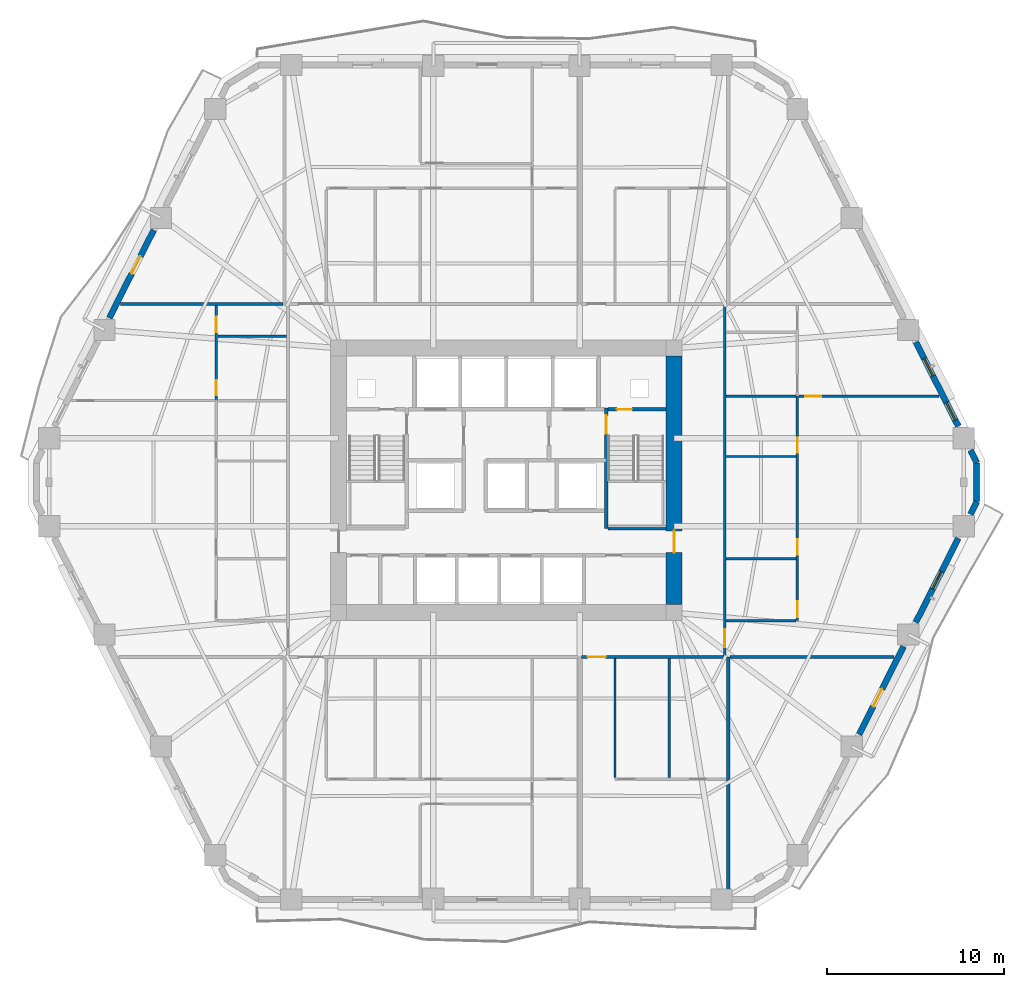
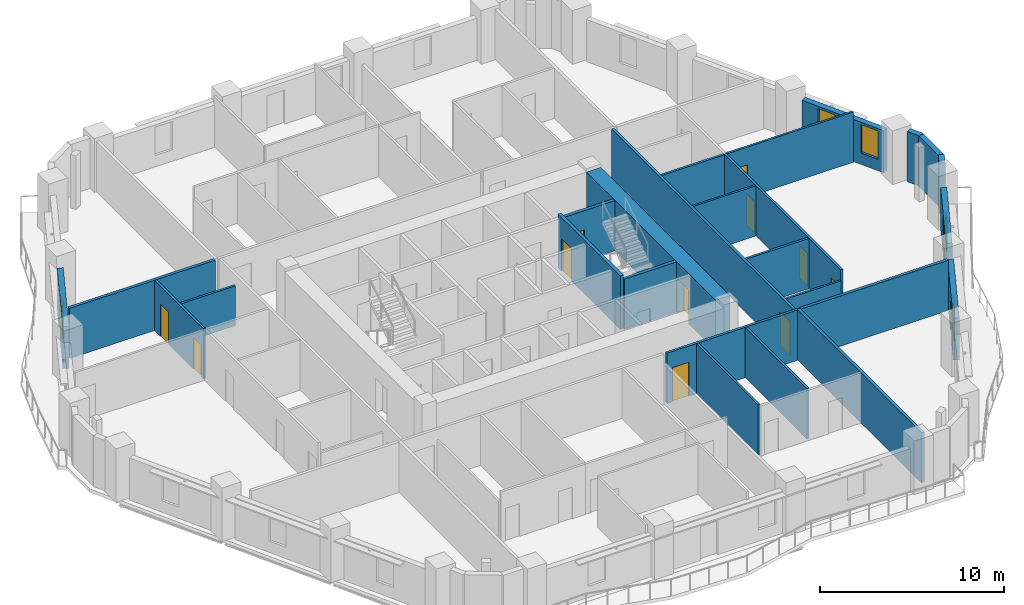
# One storey, part 6 of 14: 26 walls, 13 doors, 3 windows, 16 openings.
"""IFC4 building model written with IfcOpenShell, lengths in metres."""

from ifc_helpers import new_model, si_unit, direction, frame, frame_2d, origin, place, context, subcontext, project, spatial, rectangle, extrude, material, layer, layer_set, type_object, element, fill, save


model = new_model("IFC4")

# Units and contexts
model_context = context("Model", 3, precision=1e-05, world=origin(), true_north=direction((0.0, 1.0)))
body_context = subcontext(model_context, "Body", "Model", "MODEL_VIEW")
ifc_project = project(units=[si_unit("LENGTHUNIT", "METRE"), si_unit("AREAUNIT", "SQUARE_METRE"), si_unit("VOLUMEUNIT", "CUBIC_METRE"), si_unit("PLANEANGLEUNIT", "RADIAN"), si_unit("MASSUNIT", "GRAM", prefix="KILO")], contexts=[model_context])

# Site, building, storey
site_placement = place(None, origin())
site = spatial("IfcSite", under=ifc_project, at=site_placement, CompositionType="ELEMENT")
building_placement = place(site_placement, origin())
building = spatial("IfcBuilding", under=site, at=building_placement, Name="Cinnabar Lancet Tower", CompositionType="ELEMENT")
storey_placement = place(building_placement, frame((0.0, 0.0, 53.300048828125)))
storey = spatial("IfcBuildingStorey", under=building, at=storey_placement, Name="L13", CompositionType="ELEMENT", Elevation=53.300048828125)

# Wall, opening, door
ifc_material_1 = material(Name="Acoustic twin-stud gypsum partition", Category="gypsum")
ifc_layer_1 = layer(ifc_material_1, 0.159912109375)
ifc_layer_set_1 = layer_set([ifc_layer_1], Name="Acoustic twin-stud gypsum partition")
wall_type_1 = type_object("IfcWallType", Name="ARC-WL-CORR-160", PredefinedType="PARTITIONING", material=ifc_layer_set_1)
wall_1_placement = place(storey_placement, frame((36.616943359375, 15.949951171875, 0.0), z_axis=(0.0, 0.0, 1.0), x_axis=(1.0, 0.0, 0.0)))
wall_1 = element("IfcWall", 1, at=wall_1_placement, inside=storey, type_object=wall_type_1, Name="L13 Unit S02 Corridor Wall", PredefinedType="PARTITIONING", context=body_context, shape_type="SweptSolid", body=[
    extrude(rectangle(XDim=8.18798828125, YDim=0.159912109375, at=frame_2d((4.093994140625, 0.0))), origin(), (0.0, 0.0, 1.0), 3.329833984375),
])
opening_1_placement = place(wall_1_placement, frame((0.35498046875, 0.0, 0.0)))
opening_1 = element("IfcOpeningElement", 2, at=opening_1_placement, cuts=wall_1, Name="Opening UD-01", PredefinedType="OPENING", context=body_context, shape_type="SweptSolid", body=[
    extrude(rectangle(XDim=1.02001953125, YDim=2.25, at=frame_2d((0.510009765625, 1.125))), frame((0.0, 0.08984375, 0.0), z_axis=(0.0, -1.0, 0.0), x_axis=(1.0, 0.0, 0.0)), (0.0, 0.0, 1.0), 0.179931640625),
])
ifc_material_2 = material(Name="Solid timber fire-rated apartment entrance door", Category="wood")
door_type_1 = type_object("IfcDoorType", Name="ARC-DR-UNIT", OperationType="NOTDEFINED", PredefinedType="DOOR", material=ifc_material_2)
door_1_placement = place(opening_1_placement, origin())
door_1 = element("IfcDoor", 3, at=door_1_placement, inside=storey, type_object=door_type_1, Name="DR-L13-S02-ENT", OperationType="SINGLE_SWING_RIGHT", OverallHeight=2.25, OverallWidth=1.02001953125, PredefinedType="DOOR", context=body_context, shape_type="SweptSolid", body=[
    extrude(rectangle(XDim=1.02001953125, YDim=2.25, at=frame_2d((0.510009765625, 1.125))), frame((0.0, 0.02490234375, 0.0), z_axis=(0.0, -1.0, 0.0), x_axis=(1.0, 0.0, 0.0)), (0.0, 0.0, 1.0), 0.050048828125),
])
fill(opening_1, door_1)

wall_2_placement = place(storey_placement, frame((44.699951171875, 16.044921875, 0.0), z_axis=(0.0, 0.0, 1.0), x_axis=(0.0, 1.0, 0.0)))
wall_2 = element("IfcWall", 4, at=wall_2_placement, inside=storey, type_object=wall_type_1, Name="UW-L13-E01-COR", PredefinedType="PARTITIONING", context=body_context, shape_type="SweptSolid", body=[
    extrude(rectangle(XDim=19.7099609375, YDim=0.159912109375, at=frame_2d((9.85498046875, 0.0))), origin(), (0.0, 0.0, 1.0), 3.329833984375),
])
opening_2_placement = place(wall_2_placement, frame((0.449951171875, 0.0, 0.0)))
opening_2 = element("IfcOpeningElement", 5, at=opening_2_placement, cuts=wall_2, Name="Opening UD-01", PredefinedType="OPENING", context=body_context, shape_type="SweptSolid", body=[
    extrude(rectangle(XDim=1.02001953125, YDim=2.25, at=frame_2d((0.510009765625, 1.125))), frame((0.0, 0.08984375, 0.0), z_axis=(0.0, -1.0, 0.0), x_axis=(1.0, 0.0, 0.0)), (0.0, 0.0, 1.0), 0.179931640625),
])
door_2_placement = place(opening_2_placement, origin())
door_2 = element("IfcDoor", 6, at=door_2_placement, inside=storey, type_object=door_type_1, Name="DR-L13-E01-ENT", OperationType="SINGLE_SWING_RIGHT", OverallHeight=2.25, OverallWidth=1.02001953125, PredefinedType="DOOR", context=body_context, shape_type="SweptSolid", body=[
    extrude(rectangle(XDim=1.02001953125, YDim=2.25, at=frame_2d((0.510009765625, 1.125))), frame((0.0, 0.02490234375, 0.0), z_axis=(0.0, -1.0, 0.0), x_axis=(1.0, 0.0, 0.0)), (0.0, 0.0, 1.0), 0.050048828125),
])
fill(opening_2, door_2)

# Walls
ifc_material_3 = material(Name="Fire-rated twin-frame acoustic drywall", Category="gypsum")
ifc_layer_2 = layer(ifc_material_3, 0.179931640625)
ifc_layer_set_2 = layer_set([ifc_layer_2], Name="Fire-rated twin-frame acoustic drywall")
wall_type_2 = type_object("IfcWallType", Name="ARC-WL-PARTY-180", PredefinedType="PARTITIONING", material=ifc_layer_set_2)
wall_3_placement = place(storey_placement, frame((44.89990234375, 2.455078125, 0.0), z_axis=(0.0, 0.0, 1.0), x_axis=(0.0, 1.0, 0.0)))
element("IfcWall", 7, at=wall_3_placement, inside=storey, type_object=wall_type_2, Name="PW-L13-SPTY-449", PredefinedType="PARTITIONING", context=body_context, shape_type="SweptSolid", body=[
    extrude(rectangle(XDim=13.494873046875, YDim=0.179931640625, at=frame_2d((6.74755859375, 0.0))), origin(), (0.0, 0.0, 1.0), 3.329833984375),
])
wall_4_placement = place(storey_placement, frame((44.9951171875, 15.949951171875, 0.0), z_axis=(0.0, 0.0, 1.0), x_axis=(1.0, 0.0, 0.0)))
element("IfcWall", 8, at=wall_4_placement, inside=storey, type_object=wall_type_2, Name="PW-L13-ESB", PredefinedType="PARTITIONING", context=body_context, shape_type="SweptSolid", body=[
    extrude(rectangle(XDim=9.240966796875, YDim=0.179931640625, at=frame_2d((4.62060546875, 0.0))), origin(), (0.0, 0.0, 1.0), 3.329833984375),
])
wall_5_placement = place(storey_placement, frame((10.6650390625, 35.85009765625, 0.0), z_axis=(0.0, 0.0, 1.0), x_axis=(1.0, 0.0, 0.0)))
element("IfcWall", 9, at=wall_5_placement, inside=storey, type_object=wall_type_2, Name="PW-L13-WNB", PredefinedType="PARTITIONING", context=body_context, shape_type="SweptSolid", body=[
    extrude(rectangle(XDim=9.139892578125, YDim=0.179931640625, at=frame_2d((4.56982421875, 0.0))), origin(), (0.0, 0.0, 1.0), 3.329833984375),
])
ifc_material_4 = material(Name="Autoclaved aerated concrete blockwork", Category="masonry")
ifc_layer_3 = layer(ifc_material_4, 0.199951171875)
ifc_layer_set_3 = layer_set([ifc_layer_3], Name="Autoclaved aerated concrete blockwork")
wall_type_3 = type_object("IfcWallType", Name="ARC-WL-SHAFT-200", PredefinedType="PLUMBINGWALL", material=ifc_layer_set_3)
wall_6_placement = place(storey_placement, frame((38.125, 23.199951171875, 0.0), z_axis=(0.0, 0.0, 1.0), x_axis=(1.0, 0.0, 0.0)))
element("IfcWall", 10, at=wall_6_placement, inside=storey, type_object=wall_type_3, Name="CW-ST2S-L13", PredefinedType="PLUMBINGWALL", context=body_context, shape_type="SweptSolid", body=[
    extrude(rectangle(XDim=3.27001953125, YDim=0.199951171875, at=frame_2d((1.635009765625, 0.0))), origin(), (0.0, 0.0, 1.0), 3.329833984375),
])

# Wall, opening, door
wall_7_placement = place(storey_placement, frame((38.125, 29.89990234375, 0.0), z_axis=(0.0, 0.0, 1.0), x_axis=(1.0, 0.0, 0.0)))
wall_7 = element("IfcWall", 11, at=wall_7_placement, inside=storey, type_object=wall_type_3, Name="CW-NSH-E-L13", PredefinedType="PLUMBINGWALL", context=body_context, shape_type="SweptSolid", body=[
    extrude(rectangle(XDim=3.27001953125, YDim=0.199951171875, at=frame_2d((1.635009765625, 0.0))), origin(), (0.0, 0.0, 1.0), 3.329833984375),
])
opening_3_placement = place(wall_7_placement, frame((0.5, 0.0, 0.0)))
opening_3 = element("IfcOpeningElement", 12, at=opening_3_placement, cuts=wall_7, Name="Opening PD-02", PredefinedType="OPENING", context=body_context, shape_type="SweptSolid", body=[
    extrude(rectangle(XDim=0.85009765625, YDim=2.050048828125, at=frame_2d((0.425048828125, 1.02490234375))), frame((0.0, 0.10986328125, 0.0), z_axis=(0.0, -1.0, 0.0), x_axis=(1.0, 0.0, 0.0)), (0.0, 0.0, 1.0), 0.219970703125),
])
ifc_material_5 = material(Name="Fire-rated steel riser access door", Category="steel")
door_type_2 = type_object("IfcDoorType", Name="ARC-DR-RISER", OperationType="NOTDEFINED", PredefinedType="DOOR", material=ifc_material_5)
door_3_placement = place(opening_3_placement, origin())
door_3 = element("IfcDoor", 13, at=door_3_placement, inside=storey, type_object=door_type_2, Name="L13 East Riser Access Door", OperationType="SINGLE_SWING_RIGHT", OverallHeight=2.050048828125, OverallWidth=0.85009765625, PredefinedType="DOOR", context=body_context, shape_type="SweptSolid", body=[
    extrude(rectangle(XDim=0.85009765625, YDim=2.050048828125, at=frame_2d((0.425048828125, 1.02490234375))), frame((0.0, 0.02490234375, 0.0), z_axis=(0.0, -1.0, 0.0), x_axis=(1.0, 0.0, 0.0)), (0.0, 0.0, 1.0), 0.050048828125),
])
fill(opening_3, door_3)

# Walls
ifc_material_6 = material(Name="Gypsum plasterboard stud partition", Category="gypsum")
ifc_layer_4 = layer(ifc_material_6, 0.125)
ifc_layer_set_4 = layer_set([ifc_layer_4], Name="Gypsum plasterboard stud partition")
wall_type_4 = type_object("IfcWallType", Name="ARC-WL-UNIT-125", PredefinedType="PARTITIONING", material=ifc_layer_set_4)
wall_8_placement = place(storey_placement, frame((38.52197265625, 9.173095703125, 0.0), z_axis=(0.0, 0.0, 1.0), x_axis=(0.0, 1.0, 0.0)))
element("IfcWall", 14, at=wall_8_placement, inside=storey, type_object=wall_type_4, Name="UW-L13-S02-FOYE", PredefinedType="PARTITIONING", context=body_context, shape_type="SweptSolid", body=[
    extrude(rectangle(XDim=6.69189453125, YDim=0.125, at=frame_2d((3.345947265625, 0.0))), origin(), (0.0, 0.0, 1.0), 3.329833984375),
])
wall_9_placement = place(storey_placement, frame((44.784912109375, 18.0, 0.0), z_axis=(0.0, 0.0, 1.0), x_axis=(1.0, 0.0, 0.0)))
element("IfcWall", 15, at=wall_9_placement, inside=storey, type_object=wall_type_4, Name="UW-L13-E01-FOYN", PredefinedType="PARTITIONING", context=body_context, shape_type="SweptSolid", body=[
    extrude(rectangle(XDim=3.93017578125, YDim=0.125, at=frame_2d((1.965087890625, 0.0))), origin(), (0.0, 0.0, 1.0), 2.636962890625),
])

# Wall, opening, door
wall_10_placement = place(storey_placement, frame((48.875, 30.64892578125, 0.0), z_axis=(0.0, 0.0, 1.0), x_axis=(1.0, 0.0, 0.0)))
wall_10 = element("IfcWall", 16, at=wall_10_placement, inside=storey, type_object=wall_type_4, Name="UW-L13-E01-MBN", PredefinedType="PARTITIONING", context=body_context, shape_type="SweptSolid", body=[
    extrude(rectangle(XDim=7.906982421875, YDim=0.125, at=frame_2d((3.95361328125, 0.0))), origin(), (0.0, 0.0, 1.0), 3.329833984375),
])
opening_4_placement = place(wall_10_placement, frame((0.35009765625, 0.0, 0.0)))
opening_4 = element("IfcOpeningElement", 17, at=opening_4_placement, cuts=wall_10, Name="Opening RD-01", PredefinedType="OPENING", context=body_context, shape_type="SweptSolid", body=[
    extrude(rectangle(XDim=0.919921875, YDim=2.14990234375, at=frame_2d((0.4599609375, 1.074951171875))), frame((0.0, 0.072509765625, 0.0), z_axis=(0.0, -1.0, 0.0), x_axis=(1.0, 0.0, 0.0)), (0.0, 0.0, 1.0), 0.14501953125),
])
ifc_material_7 = material(Name="Engineered timber bedroom door", Category="wood")
door_type_3 = type_object("IfcDoorType", Name="ARC-DR-ROOM", OperationType="NOTDEFINED", PredefinedType="DOOR", material=ifc_material_7)
door_4_placement = place(opening_4_placement, origin())
door_4 = element("IfcDoor", 18, at=door_4_placement, inside=storey, type_object=door_type_3, Name="DR-L13-E01-MBD", OperationType="SINGLE_SWING_RIGHT", OverallHeight=2.14990234375, OverallWidth=0.919921875, PredefinedType="DOOR", context=body_context, shape_type="SweptSolid", body=[
    extrude(rectangle(XDim=0.919921875, YDim=2.14990234375, at=frame_2d((0.4599609375, 1.074951171875))), frame((0.0, 0.02490234375, 0.0), z_axis=(0.0, -1.0, 0.0), x_axis=(1.0, 0.0, 0.0)), (0.0, 0.0, 1.0), 0.050048828125),
])
fill(opening_4, door_4)

# Walls
wall_11_placement = place(storey_placement, frame((44.784912109375, 27.2490234375, 0.0), z_axis=(0.0, 0.0, 1.0), x_axis=(1.0, 0.0, 0.0)))
element("IfcWall", 19, at=wall_11_placement, inside=storey, type_object=wall_type_4, Name="UW-L13-E01-UDV", PredefinedType="PARTITIONING", context=body_context, shape_type="SweptSolid", body=[
    extrude(rectangle(XDim=3.93017578125, YDim=0.125, at=frame_2d((1.965087890625, 0.0))), origin(), (0.0, 0.0, 1.0), 3.329833984375),
])
ifc_material_8 = material(Name="Moisture-resistant cement-board plumbing wall", Category="masonry")
ifc_layer_5 = layer(ifc_material_8, 0.139892578125)
ifc_layer_set_5 = layer_set([ifc_layer_5], Name="Moisture-resistant cement-board plumbing wall")
wall_type_5 = type_object("IfcWallType", Name="ARC-WL-WET-140", PredefinedType="PLUMBINGWALL", material=ifc_layer_set_5)
wall_12_placement = place(storey_placement, frame((41.5830078125, 9.173095703125, 0.0), z_axis=(0.0, 0.0, 1.0), x_axis=(0.0, 1.0, 0.0)))
element("IfcWall", 20, at=wall_12_placement, inside=storey, type_object=wall_type_5, Name="UW-L13-S02-KDV", PredefinedType="PLUMBINGWALL", context=body_context, shape_type="SweptSolid", body=[
    extrude(rectangle(XDim=6.69189453125, YDim=0.139892578125, at=frame_2d((3.345947265625, 0.0))), origin(), (0.0, 0.0, 1.0), 3.329833984375),
])

# Wall, openings, doors
wall_13_placement = place(storey_placement, frame((16.050048828125, 30.467041015625, 0.0), z_axis=(0.0, 0.0, 1.0), x_axis=(0.0, 1.0, 0.0)))
wall_13 = element("IfcWall", 21, at=wall_13_placement, inside=storey, type_object=wall_type_5, Name="UW-L13-W01-SPM", PredefinedType="PLUMBINGWALL", context=body_context, shape_type="SweptSolid", body=[
    extrude(rectangle(XDim=5.287841796875, YDim=0.139892578125, at=frame_2d((2.64404296875, 0.0))), origin(), (0.0, 0.0, 1.0), 3.329833984375),
])
opening_5_placement = place(wall_13_placement, frame((0.219970703125, 0.0, 0.0)))
opening_5 = element("IfcOpeningElement", 22, at=opening_5_placement, cuts=wall_13, Name="Opening BD-01", PredefinedType="OPENING", context=body_context, shape_type="SweptSolid", body=[
    extrude(rectangle(XDim=0.860107421875, YDim=2.10009765625, at=frame_2d((0.43017578125, 1.050048828125))), frame((0.0, 0.079833984375, 0.0), z_axis=(0.0, -1.0, 0.0), x_axis=(1.0, 0.0, 0.0)), (0.0, 0.0, 1.0), 0.159912109375),
])
opening_6_placement = place(wall_13_placement, frame((3.785888671875, 0.0, 0.0)))
opening_6 = element("IfcOpeningElement", 23, at=opening_6_placement, cuts=wall_13, Name="Opening RD-02", PredefinedType="OPENING", context=body_context, shape_type="SweptSolid", body=[
    extrude(rectangle(XDim=0.8798828125, YDim=2.14990234375, at=frame_2d((0.43994140625, 1.074951171875))), frame((0.0, 0.079833984375, 0.0), z_axis=(0.0, -1.0, 0.0), x_axis=(1.0, 0.0, 0.0)), (0.0, 0.0, 1.0), 0.159912109375),
])
ifc_material_9 = material(Name="Moisture-resistant timber bathroom door", Category="wood")
door_type_4 = type_object("IfcDoorType", Name="ARC-DR-BATH", OperationType="NOTDEFINED", PredefinedType="DOOR", material=ifc_material_9)
door_5_placement = place(opening_5_placement, origin())
door_5 = element("IfcDoor", 24, at=door_5_placement, inside=storey, type_object=door_type_4, Name="DR-L13-W01-ENS", OperationType="SINGLE_SWING_LEFT", OverallHeight=2.10009765625, OverallWidth=0.860107421875, PredefinedType="DOOR", context=body_context, shape_type="SweptSolid", body=[
    extrude(rectangle(XDim=0.860107421875, YDim=2.10009765625, at=frame_2d((0.43017578125, 1.050048828125))), frame((0.0, 0.02490234375, 0.0), z_axis=(0.0, -1.0, 0.0), x_axis=(1.0, 0.0, 0.0)), (0.0, 0.0, 1.0), 0.050048828125),
])
fill(opening_5, door_5)
ifc_material_10 = material(Name="Engineered timber study door", Category="wood")
door_type_5 = type_object("IfcDoorType", Name="ARC-DR-STUDY", OperationType="NOTDEFINED", PredefinedType="DOOR", material=ifc_material_10)
door_6_placement = place(opening_6_placement, origin())
door_6 = element("IfcDoor", 25, at=door_6_placement, inside=storey, type_object=door_type_5, Name="DR-L13-W01-EWDR", OperationType="SINGLE_SWING_RIGHT", OverallHeight=2.14990234375, OverallWidth=0.8798828125, PredefinedType="DOOR", context=body_context, shape_type="SweptSolid", body=[
    extrude(rectangle(XDim=0.8798828125, YDim=2.14990234375, at=frame_2d((0.43994140625, 1.074951171875))), frame((0.0, 0.02490234375, 0.0), z_axis=(0.0, -1.0, 0.0), x_axis=(1.0, 0.0, 0.0)), (0.0, 0.0, 1.0), 0.050048828125),
])
fill(opening_6, door_6)

# Wall
wall_14_placement = place(storey_placement, frame((16.135009765625, 34.032958984375, 0.0), z_axis=(0.0, 0.0, 1.0), x_axis=(1.0, 0.0, 0.0)))
element("IfcWall", 26, at=wall_14_placement, inside=storey, type_object=wall_type_5, Name="UW-L13-W01-EWDV", PredefinedType="PLUMBINGWALL", context=body_context, shape_type="SweptSolid", body=[
    extrude(rectangle(XDim=3.8798828125, YDim=0.139892578125, at=frame_2d((1.93994140625, 0.0))), origin(), (0.0, 0.0, 1.0), 2.636962890625),
])

# Wall, openings, doors
wall_15_placement = place(storey_placement, frame((48.800048828125, 18.0, 0.0), z_axis=(0.0, 0.0, 1.0), x_axis=(0.0, 1.0, 0.0)))
wall_15 = element("IfcWall", 27, at=wall_15_placement, inside=storey, type_object=wall_type_5, Name="UW-L13-E01-SPL", PredefinedType="PLUMBINGWALL", context=body_context, shape_type="SweptSolid", body=[
    extrude(rectangle(XDim=12.64892578125, YDim=0.139892578125, at=frame_2d((6.324462890625, 0.0))), origin(), (0.0, 0.0, 1.0), 3.329833984375),
])
opening_7_placement = place(wall_15_placement, frame((0.199951171875, 0.0, 0.0)))
opening_7 = element("IfcOpeningElement", 28, at=opening_7_placement, cuts=wall_15, Name="Opening RD-02", PredefinedType="OPENING", context=body_context, shape_type="SweptSolid", body=[
    extrude(rectangle(XDim=0.8798828125, YDim=2.14990234375, at=frame_2d((0.43994140625, 1.074951171875))), frame((0.0, 0.079833984375, 0.0), z_axis=(0.0, -1.0, 0.0), x_axis=(1.0, 0.0, 0.0)), (0.0, 0.0, 1.0), 0.159912109375),
])
opening_8_placement = place(wall_15_placement, frame((3.699951171875, 0.0, 0.0)))
opening_8 = element("IfcOpeningElement", 29, at=opening_8_placement, cuts=wall_15, Name="Opening RD-02", PredefinedType="OPENING", context=body_context, shape_type="SweptSolid", body=[
    extrude(rectangle(XDim=0.8798828125, YDim=2.14990234375, at=frame_2d((0.43994140625, 1.074951171875))), frame((0.0, 0.079833984375, 0.0), z_axis=(0.0, -1.0, 0.0), x_axis=(1.0, 0.0, 0.0)), (0.0, 0.0, 1.0), 0.159912109375),
])
opening_9_placement = place(wall_15_placement, frame((9.448974609375, 0.0, 0.0)))
opening_9 = element("IfcOpeningElement", 30, at=opening_9_placement, cuts=wall_15, Name="Opening BD-01", PredefinedType="OPENING", context=body_context, shape_type="SweptSolid", body=[
    extrude(rectangle(XDim=0.860107421875, YDim=2.10009765625, at=frame_2d((0.43017578125, 1.050048828125))), frame((0.0, 0.079833984375, 0.0), z_axis=(0.0, -1.0, 0.0), x_axis=(1.0, 0.0, 0.0)), (0.0, 0.0, 1.0), 0.159912109375),
])
door_7_placement = place(opening_9_placement, origin())
door_7 = element("IfcDoor", 31, at=door_7_placement, inside=storey, type_object=door_type_4, Name="DR-L13-E01-BTH", OperationType="SINGLE_SWING_LEFT", OverallHeight=2.10009765625, OverallWidth=0.860107421875, PredefinedType="DOOR", context=body_context, shape_type="SweptSolid", body=[
    extrude(rectangle(XDim=0.860107421875, YDim=2.10009765625, at=frame_2d((0.43017578125, 1.050048828125))), frame((0.0, 0.02490234375, 0.0), z_axis=(0.0, -1.0, 0.0), x_axis=(1.0, 0.0, 0.0)), (0.0, 0.0, 1.0), 0.050048828125),
])
fill(opening_9, door_7)
door_8_placement = place(opening_7_placement, origin())
door_8 = element("IfcDoor", 32, at=door_8_placement, inside=storey, type_object=door_type_5, Name="DR-L13-E01-KIT", OperationType="SINGLE_SWING_LEFT", OverallHeight=2.14990234375, OverallWidth=0.8798828125, PredefinedType="DOOR", context=body_context, shape_type="SweptSolid", body=[
    extrude(rectangle(XDim=0.8798828125, YDim=2.14990234375, at=frame_2d((0.43994140625, 1.074951171875))), frame((0.0, 0.02490234375, 0.0), z_axis=(0.0, -1.0, 0.0), x_axis=(1.0, 0.0, 0.0)), (0.0, 0.0, 1.0), 0.050048828125),
])
fill(opening_7, door_8)
door_9_placement = place(opening_8_placement, origin())
door_9 = element("IfcDoor", 33, at=door_9_placement, inside=storey, type_object=door_type_5, Name="DR-L13-E01-UTL", OperationType="SINGLE_SWING_RIGHT", OverallHeight=2.14990234375, OverallWidth=0.8798828125, PredefinedType="DOOR", context=body_context, shape_type="SweptSolid", body=[
    extrude(rectangle(XDim=0.8798828125, YDim=2.14990234375, at=frame_2d((0.43994140625, 1.074951171875))), frame((0.0, 0.02490234375, 0.0), z_axis=(0.0, -1.0, 0.0), x_axis=(1.0, 0.0, 0.0)), (0.0, 0.0, 1.0), 0.050048828125),
])
fill(opening_8, door_9)

# Walls
for number, where, z_axis, x_axis, name in (
    (34, (44.784912109375, 30.64892578125, 0.0), (0.0, 0.0, 1.0), (1.0, 0.0, 0.0), "UW-L13-E01-ENSN"),
    (35, (44.784912109375, 21.5, 0.0), (0.0, 0.0, 1.0), (1.0, 0.0, 0.0), "UW-L13-E01-KDV"),
):
    element("IfcWall", number, at=place(storey_placement, frame(where, z_axis=z_axis, x_axis=x_axis)), inside=storey, type_object=wall_type_5, Name=name, PredefinedType="PLUMBINGWALL", context=body_context, shape_type="SweptSolid", body=[
        extrude(rectangle(XDim=3.93017578125, YDim=0.139892578125, at=frame_2d((1.965087890625, 0.0))), origin(), (0.0, 0.0, 1.0), 3.329833984375),
    ])
ifc_material_11 = material(Name="Cinnabar red clay brick", Category="masonry")
ifc_layer_6 = layer(ifc_material_11, 0.340087890625)
ifc_layer_set_6 = layer_set([ifc_layer_6], Name="Cinnabar red clay brick")
wall_type_6 = type_object("IfcWallType", Name="ENV-WL-BRK-RED-340", PredefinedType="STANDARD", material=ifc_layer_set_6)
wall_16_placement = place(storey_placement, frame((58.887939453125, 24.714111328125, 0.0), z_axis=(0.0, 0.0, 1.0), x_axis=(0.0, 1.0, 0.0)))
element("IfcWall", 36, at=wall_16_placement, inside=storey, type_object=wall_type_6, Name="L13 Chamfered Corner Brick Pier 3.1", PredefinedType="STANDARD", context=body_context, shape_type="SweptSolid", body=[
    extrude(rectangle(XDim=2.171875, YDim=0.340087890625, at=frame_2d((1.0859375, 0.0))), origin(), (0.0, 0.0, 1.0), 3.329833984375),
])

# Wall, opening, door
wall_17_placement = place(storey_placement, frame((52.27099609375, 11.590087890625, 0.0), z_axis=(0.0, 0.0, 1.0), x_axis=(0.451592100298, 0.892224509273, 0.0)))
wall_17 = element("IfcWall", 37, at=wall_17_placement, inside=storey, type_object=wall_type_6, Name="L13 Face 2 Masonry Bay Wall 3", PredefinedType="STANDARD", context=body_context, shape_type="SweptSolid", body=[
    extrude(rectangle(XDim=5.546875, YDim=0.340087890625, at=frame_2d((2.7734375, 0.0))), origin(), (0.0, 0.0, 1.0), 2.786865234375),
])
opening_10_placement = place(wall_17_placement, frame((1.76806640625, 0.0, 0.0)))
opening_10 = element("IfcOpeningElement", 38, at=opening_10_placement, cuts=wall_17, Name="Opening TD-01", PredefinedType="OPENING", context=body_context, shape_type="SweptSolid", body=[
    extrude(rectangle(XDim=1.10009765625, YDim=2.25, at=frame_2d((0.550048828125, 1.125))), frame((0.0, 0.179931640625, 0.0), z_axis=(0.0, -1.0, 0.0), x_axis=(1.0, 0.0, 0.0)), (0.0, 0.0, 1.0), 0.360107421875),
])
ifc_material_12 = material(Name="Thermally broken low-E glazed balcony terrace door", Category="wood")
door_type_6 = type_object("IfcDoorType", Name="ARC-DR-BALC", OperationType="NOTDEFINED", PredefinedType="DOOR", material=ifc_material_12)
door_10_placement = place(opening_10_placement, origin())
door_10 = element("IfcDoor", 39, at=door_10_placement, inside=storey, type_object=door_type_6, Name="L13 Face 2 Glazed Terrace Door", OperationType="SINGLE_SWING_RIGHT", OverallHeight=2.25, OverallWidth=1.10009765625, PredefinedType="DOOR", context=body_context, shape_type="SweptSolid", body=[
    extrude(rectangle(XDim=1.10009765625, YDim=2.25, at=frame_2d((0.550048828125, 1.125))), frame((0.0, 0.02490234375, 0.0), z_axis=(0.0, -1.0, 0.0), x_axis=(1.0, 0.0, 0.0)), (0.0, 0.0, 1.0), 0.050048828125),
])
fill(opening_10, door_10)

# Wall, opening, window
wall_18_placement = place(storey_placement, frame((55.465087890625, 17.90087890625, 0.0), z_axis=(0.0, 0.0, 1.0), x_axis=(0.451572088722, 0.892234637686, 0.0)))
wall_18 = element("IfcWall", 40, at=wall_18_placement, inside=storey, type_object=wall_type_6, Name="L13 Face 2 Masonry Bay Wall 4", PredefinedType="STANDARD", context=body_context, shape_type="SweptSolid", body=[
    extrude(rectangle(XDim=5.3037109375, YDim=0.340087890625, at=frame_2d((2.65185546875, 0.0))), origin(), (0.0, 0.0, 1.0), 2.786865234375),
])
opening_11_placement = place(wall_18_placement, frame((2.10205078125, 0.0, 0.75)))
opening_11 = element("IfcOpeningElement", 41, at=opening_11_placement, cuts=wall_18, Name="Opening WN-04", PredefinedType="OPENING", context=body_context, shape_type="SweptSolid", body=[
    extrude(rectangle(XDim=1.10009765625, YDim=1.886962890625, at=frame_2d((0.550048828125, 0.943359375))), frame((0.0, 0.179931640625, 0.0), z_axis=(0.0, -1.0, 0.0), x_axis=(1.0, 0.0, 0.0)), (0.0, 0.0, 1.0), 0.360107421875),
])
ifc_material_13 = material(Name="Thermally broken bronze-anodized aluminium tall lancet window", Category="aluminium")
window_type = type_object("IfcWindowType", Name="ENV-WN-LANCET-1100", PartitioningType="SINGLE_PANEL", PredefinedType="WINDOW", material=ifc_material_13)
window_1_placement = place(opening_11_placement, origin())
window_1 = element("IfcWindow", 42, at=window_1_placement, inside=storey, type_object=window_type, Name="L13 Face 2 Gothic Lancet Window 4", OverallHeight=1.886962890625, OverallWidth=1.10009765625, PartitioningType="SINGLE_PANEL", PredefinedType="WINDOW", context=body_context, shape_type="SweptSolid", body=[
    extrude(rectangle(XDim=1.10009765625, YDim=1.886962890625, at=frame_2d((0.550048828125, 0.943359375))), frame((0.0, 0.030029296875, 0.0), z_axis=(0.0, -1.0, 0.0), x_axis=(1.0, 0.0, 0.0)), (0.0, 0.0, 1.0), 0.06005859375),
])
fill(opening_11, window_1)

# Walls
for number, where, z_axis, x_axis, name in (
    (43, (58.548095703125, 23.9951171875, 0.0), (0.0, 0.0, 1.0), (0.452101093511, 0.891966704113, 0.0), "L13 Face 2 Masonry Bay Wall 5"),
    (44, (58.908935546875, 26.89306640625, 0.0), (0.0, 0.0, 1.0), (-0.452101093511, 0.891966704113, 0.0), "L13 Face 3 Masonry Bay Wall 1"),
):
    element("IfcWall", number, at=place(storey_placement, frame(where, z_axis=z_axis, x_axis=x_axis)), inside=storey, type_object=wall_type_6, Name=name, PredefinedType="STANDARD", context=body_context, shape_type="SweptSolid", body=[
        extrude(rectangle(XDim=0.798095703125, YDim=0.340087890625, at=frame_2d((0.39892578125, 0.0))), origin(), (0.0, 0.0, 1.0), 3.329833984375),
    ])

# Wall, openings, windows
wall_19_placement = place(storey_placement, frame((57.860107421875, 28.967041015625, 0.0), z_axis=(0.0, 0.0, 1.0), x_axis=(-0.451590635984, 0.892225250422, 0.0)))
wall_19 = element("IfcWall", 45, at=wall_19_placement, inside=storey, type_object=wall_type_6, Name="L13 Face 3 Masonry Bay Wall 2", PredefinedType="STANDARD", context=body_context, shape_type="SweptSolid", body=[
    extrude(rectangle(XDim=5.303466796875, YDim=0.340087890625, at=frame_2d((2.65185546875, 0.0))), origin(), (0.0, 0.0, 1.0), 2.786865234375),
])
opening_12_placement = place(wall_19_placement, frame((0.384033203125, 0.0, 0.75)))
opening_12 = element("IfcOpeningElement", 46, at=opening_12_placement, cuts=wall_19, Name="Opening WN-04", PredefinedType="OPENING", context=body_context, shape_type="SweptSolid", body=[
    extrude(rectangle(XDim=1.10009765625, YDim=1.886962890625, at=frame_2d((0.550048828125, 0.943359375))), frame((0.0, 0.179931640625, 0.0), z_axis=(0.0, -1.0, 0.0), x_axis=(1.0, 0.0, 0.0)), (0.0, 0.0, 1.0), 0.360107421875),
])
opening_13_placement = place(wall_19_placement, frame((3.156005859375, 0.0, 0.75)))
opening_13 = element("IfcOpeningElement", 47, at=opening_13_placement, cuts=wall_19, Name="Opening WN-04", PredefinedType="OPENING", context=body_context, shape_type="SweptSolid", body=[
    extrude(rectangle(XDim=1.10009765625, YDim=1.886962890625, at=frame_2d((0.550048828125, 0.943359375))), frame((0.0, 0.179931640625, 0.0), z_axis=(0.0, -1.0, 0.0), x_axis=(1.0, 0.0, 0.0)), (0.0, 0.0, 1.0), 0.360107421875),
])
window_2_placement = place(opening_12_placement, origin())
window_2 = element("IfcWindow", 48, at=window_2_placement, inside=storey, type_object=window_type, Name="L13 Face 3 Gothic Lancet Window 2", OverallHeight=1.886962890625, OverallWidth=1.10009765625, PartitioningType="SINGLE_PANEL", PredefinedType="WINDOW", context=body_context, shape_type="SweptSolid", body=[
    extrude(rectangle(XDim=1.10009765625, YDim=1.886962890625, at=frame_2d((0.550048828125, 0.943359375))), frame((0.0, 0.030029296875, 0.0), z_axis=(0.0, -1.0, 0.0), x_axis=(1.0, 0.0, 0.0)), (0.0, 0.0, 1.0), 0.06005859375),
])
fill(opening_12, window_2)
window_3_placement = place(opening_13_placement, origin())
window_3 = element("IfcWindow", 49, at=window_3_placement, inside=storey, type_object=window_type, Name="L13 Split-Bay Gothic Lancet Window 29", OverallHeight=1.886962890625, OverallWidth=1.10009765625, PartitioningType="SINGLE_PANEL", PredefinedType="WINDOW", context=body_context, shape_type="SweptSolid", body=[
    extrude(rectangle(XDim=1.10009765625, YDim=1.886962890625, at=frame_2d((0.550048828125, 0.943359375))), frame((0.0, 0.030029296875, 0.0), z_axis=(0.0, -1.0, 0.0), x_axis=(1.0, 0.0, 0.0)), (0.0, 0.0, 1.0), 0.06005859375),
])
fill(opening_13, window_3)

# Wall, opening, door
wall_20_placement = place(storey_placement, frame((12.529052734375, 40.010009765625, 0.0), z_axis=(0.0, 0.0, 1.0), x_axis=(-0.451627137896, -0.892206774417, 0.0)))
wall_20 = element("IfcWall", 50, at=wall_20_placement, inside=storey, type_object=wall_type_6, Name="L13 Face 5 Masonry Bay Wall 3", PredefinedType="STANDARD", context=body_context, shape_type="SweptSolid", body=[
    extrude(rectangle(XDim=5.546875, YDim=0.340087890625, at=frame_2d((2.7734375, 0.0))), origin(), (0.0, 0.0, 1.0), 2.786865234375),
])
opening_14_placement = place(wall_20_placement, frame((1.656005859375, 0.0, 0.0)))
opening_14 = element("IfcOpeningElement", 51, at=opening_14_placement, cuts=wall_20, Name="Opening TD-01", PredefinedType="OPENING", context=body_context, shape_type="SweptSolid", body=[
    extrude(rectangle(XDim=1.10009765625, YDim=2.25, at=frame_2d((0.550048828125, 1.125))), frame((0.0, 0.179931640625, 0.0), z_axis=(0.0, -1.0, 0.0), x_axis=(1.0, 0.0, 0.0)), (0.0, 0.0, 1.0), 0.360107421875),
])
door_11_placement = place(opening_14_placement, origin())
door_11 = element("IfcDoor", 52, at=door_11_placement, inside=storey, type_object=door_type_6, Name="L13 Face 5 Glazed Terrace Door", OperationType="SINGLE_SWING_LEFT", OverallHeight=2.25, OverallWidth=1.10009765625, PredefinedType="DOOR", context=body_context, shape_type="SweptSolid", body=[
    extrude(rectangle(XDim=1.10009765625, YDim=2.25, at=frame_2d((0.550048828125, 1.125))), frame((0.0, 0.02490234375, 0.0), z_axis=(0.0, -1.0, 0.0), x_axis=(1.0, 0.0, 0.0)), (0.0, 0.0, 1.0), 0.050048828125),
])
fill(opening_14, door_11)

ifc_material_14 = material(Name="Concrete C80/95", Category="concrete")
ifc_layer_7 = layer(ifc_material_14, 0.89990234375)
ifc_layer_set_7 = layer_set([ifc_layer_7], Name="Concrete C80/95")
wall_type_7 = type_object("IfcWallType", Name="STR-WL-CORE-900", PredefinedType="SHEAR", material=ifc_layer_set_7)
wall_21_placement = place(storey_placement, frame((41.85009765625, 18.89990234375, 0.0), z_axis=(0.0, 0.0, 1.0), x_axis=(0.0, 1.0, 0.0)))
wall_21 = element("IfcWall", 53, at=wall_21_placement, inside=storey, type_object=wall_type_7, Name="L13 Core Shear Wall E", PredefinedType="SHEAR", context=body_context, shape_type="SweptSolid", body=[
    extrude(rectangle(XDim=14.0, YDim=0.89990234375, at=frame_2d((7.0, 0.0))), origin(), (0.0, 0.0, 1.0), 3.329833984375),
])
opening_15_placement = place(wall_21_placement, frame((2.93994140625, 0.0, 0.0)))
opening_15 = element("IfcOpeningElement", 54, at=opening_15_placement, cuts=wall_21, Name="Opening FD-02", PredefinedType="OPENING", context=body_context, shape_type="SweptSolid", body=[
    extrude(rectangle(XDim=1.219970703125, YDim=2.25, at=frame_2d((0.60986328125, 1.125))), frame((0.0, 0.4599609375, 0.0), z_axis=(0.0, -1.0, 0.0), x_axis=(1.0, 0.0, 0.0)), (0.0, 0.0, 1.0), 0.919921875),
])
ifc_material_15 = material(Name="Fire-rated double-vision core portal door", Category="wood")
door_type_7 = type_object("IfcDoorType", Name="ARC-DR-CPORT", OperationType="NOTDEFINED", PredefinedType="DOOR", material=ifc_material_15)
door_12_placement = place(opening_15_placement, origin())
door_12 = element("IfcDoor", 55, at=door_12_placement, inside=storey, type_object=door_type_7, Name="L13 East Core Lobby Fire Door", OperationType="SINGLE_SWING_LEFT", OverallHeight=2.25, OverallWidth=1.219970703125, PredefinedType="DOOR", context=body_context, shape_type="SweptSolid", body=[
    extrude(rectangle(XDim=1.219970703125, YDim=2.25, at=frame_2d((0.60986328125, 1.125))), frame((0.0, 0.02490234375, 0.0), z_axis=(0.0, -1.0, 0.0), x_axis=(1.0, 0.0, 0.0)), (0.0, 0.0, 1.0), 0.050048828125),
])
fill(opening_15, door_12)

ifc_material_16 = material(Name="Concrete C50/60", Category="concrete")
ifc_layer_8 = layer(ifc_material_16, 0.199951171875)
ifc_layer_set_8 = layer_set([ifc_layer_8], Name="Concrete C50/60")
wall_type_8 = type_object("IfcWallType", Name="STR-WL-STAIR-200", PredefinedType="SHEAR", material=ifc_layer_set_8)
wall_22_placement = place(storey_placement, frame((38.02001953125, 23.199951171875, 0.0), z_axis=(0.0, 0.0, 1.0), x_axis=(0.0, 1.0, 0.0)))
wall_22 = element("IfcWall", 56, at=wall_22_placement, inside=storey, type_object=wall_type_8, Name="L13 Stair ST-2 Structural Enclosure Wall", PredefinedType="SHEAR", context=body_context, shape_type="SweptSolid", body=[
    extrude(rectangle(XDim=6.780029296875, YDim=0.199951171875, at=frame_2d((3.39013671875, 0.0))), origin(), (0.0, 0.0, 1.0), 3.550048828125),
])
opening_16_placement = place(wall_22_placement, frame((5.320068359375, 0.0, 0.0)))
opening_16 = element("IfcOpeningElement", 57, at=opening_16_placement, cuts=wall_22, Name="Opening SD-01", PredefinedType="OPENING", context=body_context, shape_type="SweptSolid", body=[
    extrude(rectangle(XDim=1.050048828125, YDim=2.14990234375, at=frame_2d((0.52490234375, 1.074951171875))), frame((0.0, 0.10986328125, 0.0), z_axis=(0.0, -1.0, 0.0), x_axis=(1.0, 0.0, 0.0)), (0.0, 0.0, 1.0), 0.219970703125),
])
ifc_material_17 = material(Name="Fire-rated steel stair exit door", Category="steel")
door_type_8 = type_object("IfcDoorType", Name="ARC-DR-STAIR", OperationType="NOTDEFINED", PredefinedType="DOOR", material=ifc_material_17)
door_13_placement = place(opening_16_placement, origin())
door_13 = element("IfcDoor", 58, at=door_13_placement, inside=storey, type_object=door_type_8, Name="L13 Stair ST-2 Fire Door", OperationType="SINGLE_SWING_RIGHT", OverallHeight=2.14990234375, OverallWidth=1.050048828125, PredefinedType="DOOR", context=body_context, shape_type="SweptSolid", body=[
    extrude(rectangle(XDim=1.050048828125, YDim=2.14990234375, at=frame_2d((0.52490234375, 1.074951171875))), frame((0.0, 0.02490234375, 0.0), z_axis=(0.0, -1.0, 0.0), x_axis=(1.0, 0.0, 0.0)), (0.0, 0.0, 1.0), 0.050048828125),
])
fill(opening_16, door_13)

save(model, "model.ifc")
